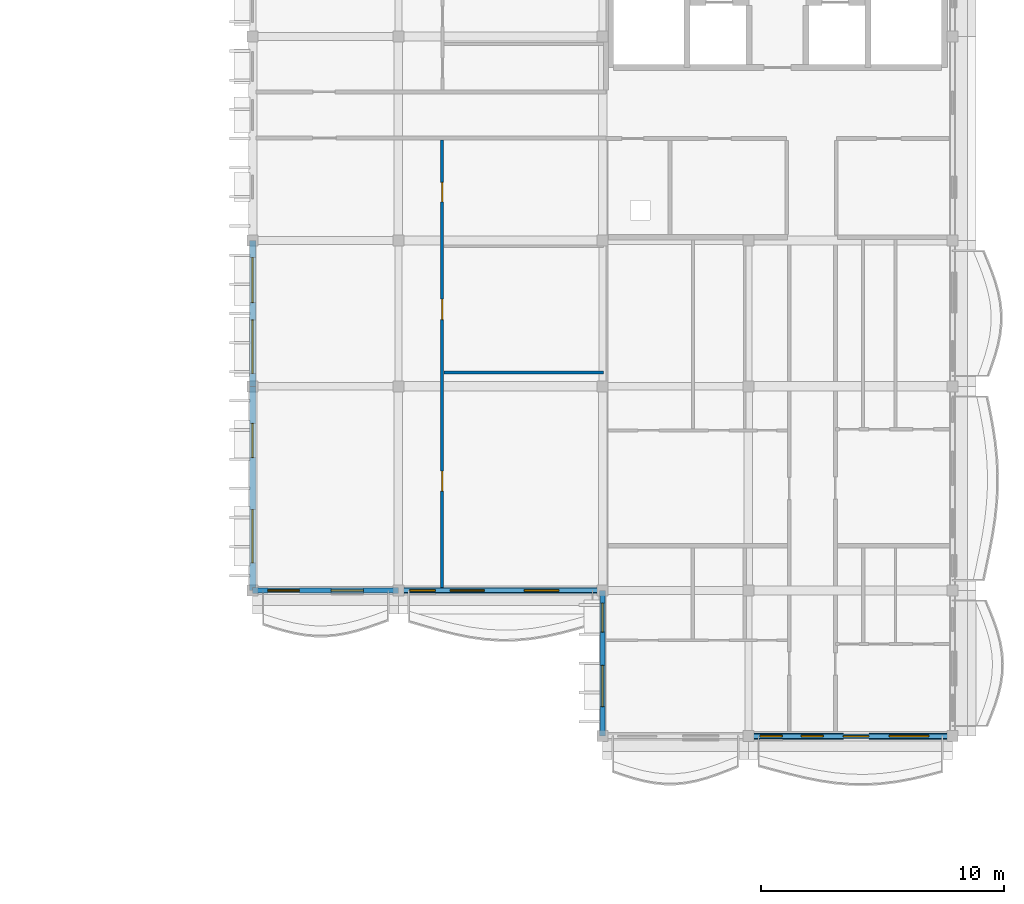
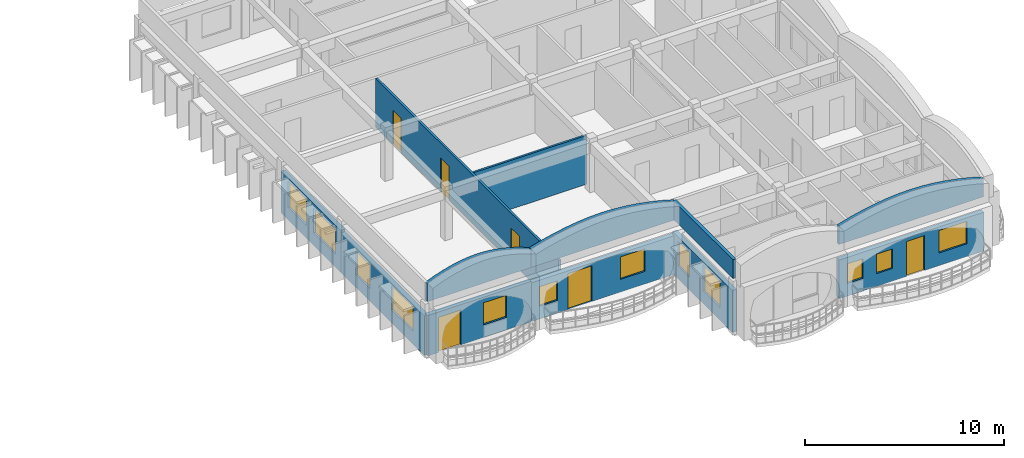
# One storey, part 26 of 59: 12 walls, 12 windows, 6 doors, 18 openings.
"""IFC4 building model written with IfcOpenShell, lengths in metres."""

from ifc_helpers import new_model, si_unit, direction, frame, frame_2d, origin, place, context, subcontext, project, spatial, polyline, rectangle, outline, extrude, material, layer, layer_set, type_object, element, fill, save


model = new_model("IFC4")

# Units and contexts
model_context = context("Model", 3, precision=1e-05, world=origin(), true_north=direction((0.0, 1.0)))
body_context = subcontext(model_context, "Body", "Model", "MODEL_VIEW")
ifc_project = project(units=[si_unit("LENGTHUNIT", "METRE"), si_unit("AREAUNIT", "SQUARE_METRE"), si_unit("VOLUMEUNIT", "CUBIC_METRE"), si_unit("PLANEANGLEUNIT", "RADIAN"), si_unit("MASSUNIT", "GRAM", prefix="KILO"), si_unit("THERMODYNAMICTEMPERATUREUNIT", "KELVIN")], contexts=[model_context])

# Site, building, storey
site_placement = place(None, origin())
site = spatial("IfcSite", under=ifc_project, at=site_placement, CompositionType="ELEMENT")
building_placement = place(site_placement, origin())
building = spatial("IfcBuilding", under=site, at=building_placement, Name="Thalorik Housing Commons", CompositionType="ELEMENT")
storey_placement = place(building_placement, frame((0.0, 0.0, 27.89990234375)))
storey = spatial("IfcBuildingStorey", under=building, at=storey_placement, Name="L08", CompositionType="ELEMENT", Elevation=27.89990234375)

# Wall, openings, windows
ifc_material_1 = material(Name="White precast concrete C40/50", Category="concrete")
ifc_layer_1 = layer(ifc_material_1, 0.2548828125, Name="White precast concrete C40/50", Category="concrete")
ifc_layer_set_1 = layer_set([ifc_layer_1], Name="White precast concrete C40/50")
wall_type_1 = type_object("IfcWallType", Name="ARC-WAL-EXT-255", PredefinedType="STANDARD", material=ifc_layer_set_1)
wall_1_placement = place(storey_placement, frame((138.0, 57.60009765625, 0.0), z_axis=(0.0, 0.0, 1.0), x_axis=(0.0, -1.0, 0.0)))
wall_1 = element("IfcWall", 1, at=wall_1_placement, inside=storey, type_object=wall_type_1, Name="L08 Exterior Wall WAL-EXT-L08-D-1265", PredefinedType="STANDARD", context=body_context, shape_type="SweptSolid", body=[
    extrude(rectangle(XDim=6.0, YDim=0.2548828125, at=frame_2d((3.0, 0.0))), origin(), (0.0, 0.0, 1.0), 2.5751953125),
])
opening_1_placement = place(wall_1_placement, frame((0.705078125, 0.0, 0.780029296875)))
opening_1 = element("IfcOpeningElement", 2, at=opening_1_placement, cuts=wall_1, Name="Opening W-20", PredefinedType="OPENING", context=body_context, shape_type="SweptSolid", body=[
    extrude(rectangle(XDim=1.85009765625, YDim=1.60009765625, at=frame_2d((0.925048828125, 0.800048828125))), frame((0.0, 0.137451171875, 0.0), z_axis=(0.0, -1.0, 0.0), x_axis=(1.0, 0.0, 0.0)), (0.0, 0.0, 1.0), 0.27490234375),
])
opening_2_placement = place(wall_1_placement, frame((3.27001953125, 0.0, 0.780029296875)))
opening_2 = element("IfcOpeningElement", 3, at=opening_2_placement, cuts=wall_1, Name="Opening W-29", PredefinedType="OPENING", context=body_context, shape_type="SweptSolid", body=[
    extrude(rectangle(XDim=2.199951171875, YDim=1.5, at=frame_2d((1.10009765625, 0.75))), frame((0.0, 0.137451171875, 0.0), z_axis=(0.0, -1.0, 0.0), x_axis=(1.0, 0.0, 0.0)), (0.0, 0.0, 1.0), 0.27490234375),
])
ifc_material_2 = material(Name="Anodised aluminium and solar-control low-E glass", Category="aluminium")
window_type_1 = type_object("IfcWindowType", Name="ARC-WIN-20", PartitioningType="DOUBLE_PANEL_VERTICAL", PredefinedType="WINDOW", material=ifc_material_2)
window_1_placement = place(opening_1_placement, origin())
window_1 = element("IfcWindow", 4, at=window_1_placement, inside=storey, type_object=window_type_1, Name="L08 Facade Window 2305", OverallHeight=1.60009765625, OverallWidth=1.85009765625, PartitioningType="DOUBLE_PANEL_VERTICAL", PredefinedType="WINDOW", context=body_context, shape_type="SweptSolid", body=[
    extrude(rectangle(XDim=1.85009765625, YDim=1.60009765625, at=frame_2d((0.925048828125, 0.800048828125))), frame((0.0, 0.030029296875, 0.0), z_axis=(0.0, -1.0, 0.0), x_axis=(1.0, 0.0, 0.0)), (0.0, 0.0, 1.0), 0.06005859375),
])
fill(opening_1, window_1)
window_type_2 = type_object("IfcWindowType", Name="ARC-WIN-29", PartitioningType="DOUBLE_PANEL_VERTICAL", PredefinedType="WINDOW", material=ifc_material_2)
window_2_placement = place(opening_2_placement, origin())
window_2 = element("IfcWindow", 5, at=window_2_placement, inside=storey, type_object=window_type_2, Name="L08 Facade Window 2306", OverallHeight=1.5, OverallWidth=2.199951171875, PartitioningType="DOUBLE_PANEL_VERTICAL", PredefinedType="WINDOW", context=body_context, shape_type="SweptSolid", body=[
    extrude(rectangle(XDim=2.199951171875, YDim=1.5, at=frame_2d((1.10009765625, 0.75))), frame((0.0, 0.030029296875, 0.0), z_axis=(0.0, -1.0, 0.0), x_axis=(1.0, 0.0, 0.0)), (0.0, 0.0, 1.0), 0.06005859375),
])
fill(opening_2, window_2)

wall_2_placement = place(storey_placement, frame((138.0, 51.60009765625, 0.0), z_axis=(0.0, 0.0, 1.0), x_axis=(0.0, -1.0, 0.0)))
wall_2 = element("IfcWall", 6, at=wall_2_placement, inside=storey, type_object=wall_type_1, Name="L08 Exterior Wall WAL-EXT-L08-D-1266", PredefinedType="STANDARD", context=body_context, shape_type="SweptSolid", body=[
    extrude(rectangle(XDim=8.400146484375, YDim=0.2548828125, at=frame_2d((4.2001953125, 0.0))), origin(), (0.0, 0.0, 1.0), 2.425048828125),
])
opening_3_placement = place(wall_2_placement, frame((1.530029296875, 0.0, 0.780029296875)))
opening_3 = element("IfcOpeningElement", 7, at=opening_3_placement, cuts=wall_2, Name="Opening W-08", PredefinedType="OPENING", context=body_context, shape_type="SweptSolid", body=[
    extrude(rectangle(XDim=1.39990234375, YDim=1.449951171875, at=frame_2d((0.699951171875, 0.72509765625))), frame((0.0, 0.137451171875, 0.0), z_axis=(0.0, -1.0, 0.0), x_axis=(1.0, 0.0, 0.0)), (0.0, 0.0, 1.0), 0.27490234375),
])
opening_4_placement = place(wall_2_placement, frame((5.070068359375, 0.0, 0.780029296875)))
opening_4 = element("IfcOpeningElement", 8, at=opening_4_placement, cuts=wall_2, Name="Opening W-29", PredefinedType="OPENING", context=body_context, shape_type="SweptSolid", body=[
    extrude(rectangle(XDim=2.199951171875, YDim=1.5, at=frame_2d((1.10009765625, 0.75))), frame((0.0, 0.137451171875, 0.0), z_axis=(0.0, -1.0, 0.0), x_axis=(1.0, 0.0, 0.0)), (0.0, 0.0, 1.0), 0.27490234375),
])
window_type_3 = type_object("IfcWindowType", Name="ARC-WIN-08", PartitioningType="SINGLE_PANEL", PredefinedType="WINDOW", material=ifc_material_2)
window_3_placement = place(opening_3_placement, origin())
window_3 = element("IfcWindow", 9, at=window_3_placement, inside=storey, type_object=window_type_3, Name="L08 Facade Window 2307", OverallHeight=1.449951171875, OverallWidth=1.39990234375, PartitioningType="SINGLE_PANEL", PredefinedType="WINDOW", context=body_context, shape_type="SweptSolid", body=[
    extrude(rectangle(XDim=1.39990234375, YDim=1.449951171875, at=frame_2d((0.699951171875, 0.72509765625))), frame((0.0, 0.030029296875, 0.0), z_axis=(0.0, -1.0, 0.0), x_axis=(1.0, 0.0, 0.0)), (0.0, 0.0, 1.0), 0.06005859375),
])
fill(opening_3, window_3)
window_4_placement = place(opening_4_placement, origin())
window_4 = element("IfcWindow", 10, at=window_4_placement, inside=storey, type_object=window_type_2, Name="L08 Facade Window 2308", OverallHeight=1.5, OverallWidth=2.199951171875, PartitioningType="DOUBLE_PANEL_VERTICAL", PredefinedType="WINDOW", context=body_context, shape_type="SweptSolid", body=[
    extrude(rectangle(XDim=2.199951171875, YDim=1.5, at=frame_2d((1.10009765625, 0.75))), frame((0.0, 0.030029296875, 0.0), z_axis=(0.0, -1.0, 0.0), x_axis=(1.0, 0.0, 0.0)), (0.0, 0.0, 1.0), 0.06005859375),
])
fill(opening_4, window_4)

# Wall, openings, door, window
wall_3_placement = place(storey_placement, frame((138.0, 43.199951171875, 0.0), z_axis=(0.0, 0.0, 1.0), x_axis=(1.0, 0.0, 0.0)))
wall_3 = element("IfcWall", 11, at=wall_3_placement, inside=storey, type_object=wall_type_1, Name="L08 Exterior Wall WAL-EXT-L08-D-1267", PredefinedType="STANDARD", context=body_context, shape_type="SweptSolid", body=[
    extrude(rectangle(XDim=6.0, YDim=0.2548828125, at=frame_2d((3.0, 0.0))), origin(), (0.0, 0.0, 1.0), 2.47509765625),
])
opening_5_placement = place(wall_3_placement, frame((0.6201171875, 0.0, 0.0)))
opening_5 = element("IfcOpeningElement", 12, at=opening_5_placement, cuts=wall_3, Name="Opening ED-0430", PredefinedType="OPENING", context=body_context, shape_type="SweptSolid", body=[
    extrude(rectangle(XDim=1.300048828125, YDim=2.14990234375, at=frame_2d((0.64990234375, 1.074951171875))), frame((0.0, 0.137451171875, 0.0), z_axis=(0.0, -1.0, 0.0), x_axis=(1.0, 0.0, 0.0)), (0.0, 0.0, 1.0), 0.27490234375),
])
opening_6_placement = place(wall_3_placement, frame((3.22998046875, 0.0, 0.780029296875)))
opening_6 = element("IfcOpeningElement", 13, at=opening_6_placement, cuts=wall_3, Name="Opening W-48", PredefinedType="OPENING", context=body_context, shape_type="SweptSolid", body=[
    extrude(rectangle(XDim=1.320068359375, YDim=1.35009765625, at=frame_2d((0.66015625, 0.675048828125))), frame((0.0, 0.137451171875, 0.0), z_axis=(0.0, -1.0, 0.0), x_axis=(1.0, 0.0, 0.0)), (0.0, 0.0, 1.0), 0.27490234375),
])
ifc_material_3 = material(Name="Anodised aluminium and laminated safety glass", Category="aluminium")
door_type_1 = type_object("IfcDoorType", Name="ARC-DR-BAL-1300", OperationType="NOTDEFINED", PredefinedType="DOOR", material=ifc_material_3)
door_1_placement = place(opening_5_placement, frame((1.300048828125, 0.0, 0.0), z_axis=(0.0, 0.0, 1.0), x_axis=(-1.0, 0.0, 0.0)))
door_1 = element("IfcDoor", 14, at=door_1_placement, inside=storey, type_object=door_type_1, Name="L08 Block D Balcony Glazed Door", OperationType="SINGLE_SWING_LEFT", OverallHeight=2.14990234375, OverallWidth=1.300048828125, PredefinedType="DOOR", context=body_context, shape_type="SweptSolid", body=[
    extrude(rectangle(XDim=1.300048828125, YDim=2.14990234375, at=frame_2d((0.64990234375, 1.074951171875))), frame((0.0, 0.02490234375, 0.0), z_axis=(0.0, -1.0, 0.0), x_axis=(1.0, 0.0, 0.0)), (0.0, 0.0, 1.0), 0.050048828125),
])
fill(opening_5, door_1)
window_type_4 = type_object("IfcWindowType", Name="ARC-WIN-48", PartitioningType="SINGLE_PANEL", PredefinedType="WINDOW", material=ifc_material_2)
window_5_placement = place(opening_6_placement, origin())
window_5 = element("IfcWindow", 15, at=window_5_placement, inside=storey, type_object=window_type_4, Name="L08 Facade Window 2309", OverallHeight=1.35009765625, OverallWidth=1.320068359375, PartitioningType="SINGLE_PANEL", PredefinedType="WINDOW", context=body_context, shape_type="SweptSolid", body=[
    extrude(rectangle(XDim=1.320068359375, YDim=1.35009765625, at=frame_2d((0.66015625, 0.675048828125))), frame((0.0, 0.030029296875, 0.0), z_axis=(0.0, -1.0, 0.0), x_axis=(1.0, 0.0, 0.0)), (0.0, 0.0, 1.0), 0.06005859375),
])
fill(opening_6, window_5)

# Wall, openings, door, windows
wall_4_placement = place(storey_placement, frame((144.0, 43.199951171875, 0.0), z_axis=(0.0, 0.0, 1.0), x_axis=(1.0, 0.0, 0.0)))
wall_4 = element("IfcWall", 16, at=wall_4_placement, inside=storey, type_object=wall_type_1, Name="L08 Exterior Wall WAL-EXT-L08-D-1268", PredefinedType="STANDARD", context=body_context, shape_type="SweptSolid", body=[
    extrude(rectangle(XDim=8.39990234375, YDim=0.2548828125, at=frame_2d((4.199951171875, 0.0))), origin(), (0.0, 0.0, 1.0), 2.375),
])
opening_7_placement = place(wall_4_placement, frame((2.1298828125, 0.0, 0.0)))
opening_7 = element("IfcOpeningElement", 17, at=opening_7_placement, cuts=wall_4, Name="Opening ED-0431", PredefinedType="OPENING", context=body_context, shape_type="SweptSolid", body=[
    extrude(rectangle(XDim=1.39990234375, YDim=2.199951171875, at=frame_2d((0.699951171875, 1.10009765625))), frame((0.0, 0.137451171875, 0.0), z_axis=(0.0, -1.0, 0.0), x_axis=(1.0, 0.0, 0.0)), (0.0, 0.0, 1.0), 0.27490234375),
])
opening_8_placement = place(wall_4_placement, frame((0.469970703125, 0.0, 0.780029296875)))
opening_8 = element("IfcOpeningElement", 18, at=opening_8_placement, cuts=wall_4, Name="Opening W-44", PredefinedType="OPENING", context=body_context, shape_type="SweptSolid", body=[
    extrude(rectangle(XDim=1.050048828125, YDim=1.199951171875, at=frame_2d((0.52490234375, 0.60009765625))), frame((0.0, 0.137451171875, 0.0), z_axis=(0.0, -1.0, 0.0), x_axis=(1.0, 0.0, 0.0)), (0.0, 0.0, 1.0), 0.27490234375),
])
opening_9_placement = place(wall_4_placement, frame((5.18505859375, 0.0, 0.780029296875)))
opening_9 = element("IfcOpeningElement", 19, at=opening_9_placement, cuts=wall_4, Name="Opening W-50", PredefinedType="OPENING", context=body_context, shape_type="SweptSolid", body=[
    extrude(rectangle(XDim=1.419921875, YDim=1.3798828125, at=frame_2d((0.7099609375, 0.68994140625))), frame((0.0, 0.137451171875, 0.0), z_axis=(0.0, -1.0, 0.0), x_axis=(1.0, 0.0, 0.0)), (0.0, 0.0, 1.0), 0.27490234375),
])
door_type_2 = type_object("IfcDoorType", Name="ARC-DR-BAL-1400", OperationType="NOTDEFINED", PredefinedType="DOOR", material=ifc_material_3)
door_2_placement = place(opening_7_placement, frame((1.39990234375, 0.0, 0.0), z_axis=(0.0, 0.0, 1.0), x_axis=(-1.0, 0.0, 0.0)))
door_2 = element("IfcDoor", 20, at=door_2_placement, inside=storey, type_object=door_type_2, Name="L08 Block D Balcony Glazed Door", OperationType="SLIDING_TO_LEFT", OverallHeight=2.199951171875, OverallWidth=1.39990234375, PredefinedType="DOOR", context=body_context, shape_type="SweptSolid", body=[
    extrude(rectangle(XDim=1.39990234375, YDim=2.199951171875, at=frame_2d((0.699951171875, 1.10009765625))), frame((0.0, 0.02490234375, 0.0), z_axis=(0.0, -1.0, 0.0), x_axis=(1.0, 0.0, 0.0)), (0.0, 0.0, 1.0), 0.050048828125),
])
fill(opening_7, door_2)
window_type_5 = type_object("IfcWindowType", Name="ARC-WIN-44", PartitioningType="SINGLE_PANEL", PredefinedType="WINDOW", material=ifc_material_2)
window_6_placement = place(opening_8_placement, origin())
window_6 = element("IfcWindow", 21, at=window_6_placement, inside=storey, type_object=window_type_5, Name="L08 Facade Window 2310", OverallHeight=1.199951171875, OverallWidth=1.050048828125, PartitioningType="SINGLE_PANEL", PredefinedType="WINDOW", context=body_context, shape_type="SweptSolid", body=[
    extrude(rectangle(XDim=1.050048828125, YDim=1.199951171875, at=frame_2d((0.52490234375, 0.60009765625))), frame((0.0, 0.030029296875, 0.0), z_axis=(0.0, -1.0, 0.0), x_axis=(1.0, 0.0, 0.0)), (0.0, 0.0, 1.0), 0.06005859375),
])
fill(opening_8, window_6)
window_type_6 = type_object("IfcWindowType", Name="ARC-WIN-50", PartitioningType="SINGLE_PANEL", PredefinedType="WINDOW", material=ifc_material_2)
window_7_placement = place(opening_9_placement, origin())
window_7 = element("IfcWindow", 22, at=window_7_placement, inside=storey, type_object=window_type_6, Name="L08 Facade Window 2311", OverallHeight=1.3798828125, OverallWidth=1.419921875, PartitioningType="SINGLE_PANEL", PredefinedType="WINDOW", context=body_context, shape_type="SweptSolid", body=[
    extrude(rectangle(XDim=1.419921875, YDim=1.3798828125, at=frame_2d((0.7099609375, 0.68994140625))), frame((0.0, 0.030029296875, 0.0), z_axis=(0.0, -1.0, 0.0), x_axis=(1.0, 0.0, 0.0)), (0.0, 0.0, 1.0), 0.06005859375),
])
fill(opening_9, window_7)

# Wall, openings, windows
wall_5_placement = place(storey_placement, frame((152.39990234375, 43.199951171875, 0.0), z_axis=(0.0, 0.0, 1.0), x_axis=(0.0, -1.0, 0.0)))
wall_5 = element("IfcWall", 23, at=wall_5_placement, inside=storey, type_object=wall_type_1, Name="L08 Exterior Wall WAL-EXT-L08-D-1269", PredefinedType="STANDARD", context=body_context, shape_type="SweptSolid", body=[
    extrude(rectangle(XDim=6.0, YDim=0.2548828125, at=frame_2d((3.0, 0.0))), origin(), (0.0, 0.0, 1.0), 2.5751953125),
])
opening_10_placement = place(wall_5_placement, frame((0.52001953125, 0.0, 0.780029296875)))
opening_10 = element("IfcOpeningElement", 24, at=opening_10_placement, cuts=wall_5, Name="Opening W-05", PredefinedType="OPENING", context=body_context, shape_type="SweptSolid", body=[
    extrude(rectangle(XDim=1.199951171875, YDim=1.5, at=frame_2d((0.60009765625, 0.75))), frame((0.0, 0.137451171875, 0.0), z_axis=(0.0, -1.0, 0.0), x_axis=(1.0, 0.0, 0.0)), (0.0, 0.0, 1.0), 0.27490234375),
])
opening_11_placement = place(wall_5_placement, frame((3.080078125, 0.0, 0.780029296875)))
opening_11 = element("IfcOpeningElement", 25, at=opening_11_placement, cuts=wall_5, Name="Opening W-16", PredefinedType="OPENING", context=body_context, shape_type="SweptSolid", body=[
    extrude(rectangle(XDim=1.699951171875, YDim=1.60009765625, at=frame_2d((0.85009765625, 0.800048828125))), frame((0.0, 0.137451171875, 0.0), z_axis=(0.0, -1.0, 0.0), x_axis=(1.0, 0.0, 0.0)), (0.0, 0.0, 1.0), 0.27490234375),
])
window_type_7 = type_object("IfcWindowType", Name="ARC-WIN-05", PartitioningType="SINGLE_PANEL", PredefinedType="WINDOW", material=ifc_material_2)
window_8_placement = place(opening_10_placement, origin())
window_8 = element("IfcWindow", 26, at=window_8_placement, inside=storey, type_object=window_type_7, Name="L08 Facade Window 2312", OverallHeight=1.5, OverallWidth=1.199951171875, PartitioningType="SINGLE_PANEL", PredefinedType="WINDOW", context=body_context, shape_type="SweptSolid", body=[
    extrude(rectangle(XDim=1.199951171875, YDim=1.5, at=frame_2d((0.60009765625, 0.75))), frame((0.0, 0.030029296875, 0.0), z_axis=(0.0, -1.0, 0.0), x_axis=(1.0, 0.0, 0.0)), (0.0, 0.0, 1.0), 0.06005859375),
])
fill(opening_10, window_8)
window_type_8 = type_object("IfcWindowType", Name="ARC-WIN-16", PartitioningType="DOUBLE_PANEL_VERTICAL", PredefinedType="WINDOW", material=ifc_material_2)
window_9_placement = place(opening_11_placement, origin())
window_9 = element("IfcWindow", 27, at=window_9_placement, inside=storey, type_object=window_type_8, Name="L08 Facade Window 2313", OverallHeight=1.60009765625, OverallWidth=1.699951171875, PartitioningType="DOUBLE_PANEL_VERTICAL", PredefinedType="WINDOW", context=body_context, shape_type="SweptSolid", body=[
    extrude(rectangle(XDim=1.699951171875, YDim=1.60009765625, at=frame_2d((0.85009765625, 0.800048828125))), frame((0.0, 0.030029296875, 0.0), z_axis=(0.0, -1.0, 0.0), x_axis=(1.0, 0.0, 0.0)), (0.0, 0.0, 1.0), 0.06005859375),
])
fill(opening_11, window_9)

# Wall, openings, door, windows
wall_6_placement = place(storey_placement, frame((158.39990234375, 37.199951171875, 0.0), z_axis=(0.0, 0.0, 1.0), x_axis=(1.0, 0.0, 0.0)))
wall_6 = element("IfcWall", 28, at=wall_6_placement, inside=storey, type_object=wall_type_1, Name="L08 Exterior Wall WAL-EXT-L08-D-1271", PredefinedType="STANDARD", context=body_context, shape_type="SweptSolid", body=[
    extrude(rectangle(XDim=8.400146484375, YDim=0.2548828125, at=frame_2d((4.2001953125, 0.0))), origin(), (0.0, 0.0, 1.0), 2.375),
])
opening_12_placement = place(wall_6_placement, frame((3.909912109375, 0.0, 0.0)))
opening_12 = element("IfcOpeningElement", 29, at=opening_12_placement, cuts=wall_6, Name="Opening ED-0433", PredefinedType="OPENING", context=body_context, shape_type="SweptSolid", body=[
    extrude(rectangle(XDim=1.050048828125, YDim=2.14990234375, at=frame_2d((0.52490234375, 1.074951171875))), frame((0.0, 0.137451171875, 0.0), z_axis=(0.0, -1.0, 0.0), x_axis=(1.0, 0.0, 0.0)), (0.0, 0.0, 1.0), 0.27490234375),
])
opening_13_placement = place(wall_6_placement, frame((0.485107421875, 0.0, 0.780029296875)))
opening_13 = element("IfcOpeningElement", 30, at=opening_13_placement, cuts=wall_6, Name="Opening W-01", PredefinedType="OPENING", context=body_context, shape_type="SweptSolid", body=[
    extrude(rectangle(XDim=0.89990234375, YDim=1.199951171875, at=frame_2d((0.449951171875, 0.60009765625))), frame((0.0, 0.137451171875, 0.0), z_axis=(0.0, -1.0, 0.0), x_axis=(1.0, 0.0, 0.0)), (0.0, 0.0, 1.0), 0.27490234375),
])
opening_14_placement = place(wall_6_placement, frame((2.179931640625, 0.0, 0.780029296875)))
opening_14 = element("IfcOpeningElement", 31, at=opening_14_placement, cuts=wall_6, Name="Opening W-01", PredefinedType="OPENING", context=body_context, shape_type="SweptSolid", body=[
    extrude(rectangle(XDim=0.89990234375, YDim=1.199951171875, at=frame_2d((0.449951171875, 0.60009765625))), frame((0.0, 0.137451171875, 0.0), z_axis=(0.0, -1.0, 0.0), x_axis=(1.0, 0.0, 0.0)), (0.0, 0.0, 1.0), 0.27490234375),
])
opening_15_placement = place(wall_6_placement, frame((5.800048828125, 0.0, 0.780029296875)))
opening_15 = element("IfcOpeningElement", 32, at=opening_15_placement, cuts=wall_6, Name="Opening W-54", PredefinedType="OPENING", context=body_context, shape_type="SweptSolid", body=[
    extrude(rectangle(XDim=1.6201171875, YDim=1.3798828125, at=frame_2d((0.81005859375, 0.68994140625))), frame((0.0, 0.137451171875, 0.0), z_axis=(0.0, -1.0, 0.0), x_axis=(1.0, 0.0, 0.0)), (0.0, 0.0, 1.0), 0.27490234375),
])
door_type_3 = type_object("IfcDoorType", Name="ARC-DR-BAL-1050", OperationType="NOTDEFINED", PredefinedType="DOOR", material=ifc_material_3)
door_3_placement = place(opening_12_placement, frame((1.050048828125, 0.0, 0.0), z_axis=(0.0, 0.0, 1.0), x_axis=(-1.0, 0.0, 0.0)))
door_3 = element("IfcDoor", 33, at=door_3_placement, inside=storey, type_object=door_type_3, Name="L08 Block D Balcony Glazed Door", OperationType="SINGLE_SWING_RIGHT", OverallHeight=2.14990234375, OverallWidth=1.050048828125, PredefinedType="DOOR", context=body_context, shape_type="SweptSolid", body=[
    extrude(rectangle(XDim=1.050048828125, YDim=2.14990234375, at=frame_2d((0.52490234375, 1.074951171875))), frame((0.0, 0.02490234375, 0.0), z_axis=(0.0, -1.0, 0.0), x_axis=(1.0, 0.0, 0.0)), (0.0, 0.0, 1.0), 0.050048828125),
])
fill(opening_12, door_3)
window_type_9 = type_object("IfcWindowType", Name="ARC-WIN-01", PartitioningType="SINGLE_PANEL", PredefinedType="WINDOW", material=ifc_material_2)
window_10_placement = place(opening_13_placement, origin())
window_10 = element("IfcWindow", 34, at=window_10_placement, inside=storey, type_object=window_type_9, Name="L08 Facade Window 2315", OverallHeight=1.199951171875, OverallWidth=0.89990234375, PartitioningType="SINGLE_PANEL", PredefinedType="WINDOW", context=body_context, shape_type="SweptSolid", body=[
    extrude(rectangle(XDim=0.89990234375, YDim=1.199951171875, at=frame_2d((0.449951171875, 0.60009765625))), frame((0.0, 0.030029296875, 0.0), z_axis=(0.0, -1.0, 0.0), x_axis=(1.0, 0.0, 0.0)), (0.0, 0.0, 1.0), 0.06005859375),
])
fill(opening_13, window_10)
window_11_placement = place(opening_14_placement, origin())
window_11 = element("IfcWindow", 35, at=window_11_placement, inside=storey, type_object=window_type_9, Name="L08 Facade Window 2316", OverallHeight=1.199951171875, OverallWidth=0.89990234375, PartitioningType="SINGLE_PANEL", PredefinedType="WINDOW", context=body_context, shape_type="SweptSolid", body=[
    extrude(rectangle(XDim=0.89990234375, YDim=1.199951171875, at=frame_2d((0.449951171875, 0.60009765625))), frame((0.0, 0.030029296875, 0.0), z_axis=(0.0, -1.0, 0.0), x_axis=(1.0, 0.0, 0.0)), (0.0, 0.0, 1.0), 0.06005859375),
])
fill(opening_14, window_11)
window_type_10 = type_object("IfcWindowType", Name="ARC-WIN-54", PartitioningType="DOUBLE_PANEL_VERTICAL", PredefinedType="WINDOW", material=ifc_material_2)
window_12_placement = place(opening_15_placement, origin())
window_12 = element("IfcWindow", 36, at=window_12_placement, inside=storey, type_object=window_type_10, Name="L08 Facade Window 2317", OverallHeight=1.3798828125, OverallWidth=1.6201171875, PartitioningType="DOUBLE_PANEL_VERTICAL", PredefinedType="WINDOW", context=body_context, shape_type="SweptSolid", body=[
    extrude(rectangle(XDim=1.6201171875, YDim=1.3798828125, at=frame_2d((0.81005859375, 0.68994140625))), frame((0.0, 0.030029296875, 0.0), z_axis=(0.0, -1.0, 0.0), x_axis=(1.0, 0.0, 0.0)), (0.0, 0.0, 1.0), 0.06005859375),
])
fill(opening_15, window_12)

# Walls
ifc_layer_2 = layer(ifc_material_1, 0.179931640625, Name="White precast concrete C40/50", Category="concrete")
ifc_layer_set_2 = layer_set([ifc_layer_2], Name="White precast concrete C40/50")
wall_type_2 = type_object("IfcWallType", Name="ARC-WAL-PAR-180", PredefinedType="PARAPET", material=ifc_layer_set_2)
wall_7_placement = place(storey_placement, frame((138.0, 43.199951171875, 3.300048828125), z_axis=(0.0, 0.0, 1.0), x_axis=(1.0, 0.0, 0.0)))
element("IfcWall", 37, at=wall_7_placement, inside=storey, type_object=wall_type_2, Name="L08 Block D Scalloped Arched Roof Parapet 47", PredefinedType="PARAPET", context=body_context, shape_type="SweptSolid", body=[
    extrude(outline(polyline([(0.0, 0.0), (6.0, 0.0), (6.0, 1.1201171875), (5.5, 1.321533203125), (5.0, 1.484375), (4.5, 1.617919921875), (4.0, 1.717529296875), (3.5, 1.779052734375), (3.0, 1.800048828125), (2.5, 1.779052734375), (2.0, 1.717529296875), (1.5, 1.617919921875), (1.0, 1.484375), (0.5, 1.321533203125), (0.0, 1.1201171875), (0.0, 0.0)])), frame((0.0, 0.08984375, 0.0), z_axis=(0.0, -1.0, 0.0), x_axis=(1.0, 0.0, 0.0)), (0.0, 0.0, 1.0), 0.179931640625),
])
wall_8_placement = place(storey_placement, frame((144.0, 43.199951171875, 3.300048828125), z_axis=(0.0, 0.0, 1.0), x_axis=(1.0, 0.0, 0.0)))
element("IfcWall", 38, at=wall_8_placement, inside=storey, type_object=wall_type_2, Name="L08 Block D Scalloped Arched Roof Parapet 48", PredefinedType="PARAPET", context=body_context, shape_type="SweptSolid", body=[
    extrude(outline(polyline([(0.0, 0.0), (8.39990234375, 0.0), (8.39990234375, 1.1201171875), (7.699951171875, 1.321533203125), (7.0, 1.484375), (6.300048828125, 1.617919921875), (5.60009765625, 1.717529296875), (4.89990234375, 1.779052734375), (4.199951171875, 1.800048828125), (3.5, 1.779052734375), (2.800048828125, 1.717529296875), (2.10009765625, 1.617919921875), (1.39990234375, 1.484375), (0.699951171875, 1.321533203125), (0.0, 1.1201171875), (0.0, 0.0)])), frame((0.0, 0.08984375, 0.0), z_axis=(0.0, -1.0, 0.0), x_axis=(1.0, 0.0, 0.0)), (0.0, 0.0, 1.0), 0.179931640625),
])
wall_9_placement = place(storey_placement, frame((152.39990234375, 43.199951171875, 3.300048828125), z_axis=(0.0, 0.0, 1.0), x_axis=(0.0, -1.0, 0.0)))
element("IfcWall", 39, at=wall_9_placement, inside=storey, type_object=wall_type_2, Name="L08 Block D Roof Parapet 49", PredefinedType="PARAPET", context=body_context, shape_type="SweptSolid", body=[
    extrude(rectangle(XDim=6.0, YDim=0.179931640625, at=frame_2d((3.0, 0.0))), origin(), (0.0, 0.0, 1.0), 1.150146484375),
])
wall_10_placement = place(storey_placement, frame((158.39990234375, 37.199951171875, 3.300048828125), z_axis=(0.0, 0.0, 1.0), x_axis=(1.0, 0.0, 0.0)))
element("IfcWall", 40, at=wall_10_placement, inside=storey, type_object=wall_type_2, Name="L08 Block D Scalloped Arched Roof Parapet 51", PredefinedType="PARAPET", context=body_context, shape_type="SweptSolid", body=[
    extrude(outline(polyline([(0.0, 0.0), (8.400146484375, 0.0), (8.39990234375, 1.1201171875), (7.699951171875, 1.321533203125), (7.0, 1.484375), (6.300048828125, 1.617919921875), (5.60009765625, 1.717529296875), (4.89990234375, 1.779052734375), (4.199951171875, 1.800048828125), (3.5, 1.779052734375), (2.800048828125, 1.717529296875), (2.10009765625, 1.617919921875), (1.39990234375, 1.484375), (0.699951171875, 1.321533203125), (0.0, 1.1201171875), (0.0, 0.0)])), frame((0.0, 0.08984375, 0.0), z_axis=(0.0, -1.0, 0.0), x_axis=(1.0, 0.0, 0.0)), (0.0, 0.0, 1.0), 0.179931640625),
])
ifc_material_4 = material(Name="Gypsum moisture-resistant partition", Category="masonry")
ifc_layer_3 = layer(ifc_material_4, 0.114990234375, Name="Gypsum moisture-resistant partition", Category="masonry")
ifc_layer_set_3 = layer_set([ifc_layer_3], Name="Gypsum moisture-resistant partition")
wall_type_3 = type_object("IfcWallType", Name="ARC-WAL-PART-115", PredefinedType="PARTITIONING", material=ifc_layer_set_3)
wall_11_placement = place(storey_placement, frame((145.864501953125, 52.168701171875, 0.0), z_axis=(0.0, 0.0, 1.0), x_axis=(1.0, 0.0, 0.0)))
element("IfcWall", 41, at=wall_11_placement, inside=storey, type_object=wall_type_3, Name="L08 Unit 1 Bedroom Partition", PredefinedType="PARTITIONING", context=body_context, shape_type="SweptSolid", body=[
    extrude(rectangle(XDim=6.5810546875, YDim=0.114990234375, at=frame_2d((3.29052734375, 0.0))), origin(), (0.0, 0.0, 1.0), 3.0),
])

# Wall, openings, doors
ifc_material_5 = material(Name="Gypsum acoustic stud partition", Category="masonry")
ifc_layer_4 = layer(ifc_material_5, 0.125, Name="Gypsum acoustic stud partition", Category="masonry")
ifc_layer_set_4 = layer_set([ifc_layer_4], Name="Gypsum acoustic stud partition")
wall_type_4 = type_object("IfcWallType", Name="ARC-WAL-PART-125", PredefinedType="PARTITIONING", material=ifc_layer_set_4)
wall_12_placement = place(storey_placement, frame((145.800048828125, 43.32958984375, 0.0), z_axis=(0.0, 0.0, 1.0), x_axis=(0.0, 1.0, 0.0)))
wall_12 = element("IfcWall", 42, at=wall_12_placement, inside=storey, type_object=wall_type_4, Name="L08 Unit 1 Spine Partition", PredefinedType="PARTITIONING", context=body_context, shape_type="SweptSolid", body=[
    extrude(rectangle(XDim=18.413330078125, YDim=0.125, at=frame_2d((9.20654296875, 0.0))), origin(), (0.0, 0.0, 1.0), 3.0),
])
opening_16_placement = place(wall_12_placement, frame((3.9599609375, 0.0, 0.0)))
opening_16 = element("IfcOpeningElement", 43, at=opening_16_placement, cuts=wall_12, Name="Opening ID-2164", PredefinedType="OPENING", context=body_context, shape_type="SweptSolid", body=[
    extrude(rectangle(XDim=0.820068359375, YDim=2.080078125, at=frame_2d((0.41015625, 1.0400390625))), frame((0.0, 0.072509765625, 0.0), z_axis=(0.0, -1.0, 0.0), x_axis=(1.0, 0.0, 0.0)), (0.0, 0.0, 1.0), 0.14501953125),
])
opening_17_placement = place(wall_12_placement, frame((11.0126953125, 0.0, 0.0)))
opening_17 = element("IfcOpeningElement", 44, at=opening_17_placement, cuts=wall_12, Name="Opening ID-2165", PredefinedType="OPENING", context=body_context, shape_type="SweptSolid", body=[
    extrude(rectangle(XDim=0.85009765625, YDim=2.10009765625, at=frame_2d((0.425048828125, 1.050048828125))), frame((0.0, 0.072509765625, 0.0), z_axis=(0.0, -1.0, 0.0), x_axis=(1.0, 0.0, 0.0)), (0.0, 0.0, 1.0), 0.14501953125),
])
opening_18_placement = place(wall_12_placement, frame((15.86328125, 0.0, 0.0)))
opening_18 = element("IfcOpeningElement", 45, at=opening_18_placement, cuts=wall_12, Name="Opening ID-2166", PredefinedType="OPENING", context=body_context, shape_type="SweptSolid", body=[
    extrude(rectangle(XDim=0.800048828125, YDim=2.10009765625, at=frame_2d((0.39990234375, 1.050048828125))), frame((0.0, 0.072509765625, 0.0), z_axis=(0.0, -1.0, 0.0), x_axis=(1.0, 0.0, 0.0)), (0.0, 0.0, 1.0), 0.14501953125),
])
ifc_material_6 = material(Name="Moisture-resistant timber", Category="wood")
door_type_4 = type_object("IfcDoorType", Name="ARC-DR-INT-800", OperationType="NOTDEFINED", PredefinedType="DOOR", material=ifc_material_6)
door_4_placement = place(opening_18_placement, origin())
door_4 = element("IfcDoor", 46, at=door_4_placement, inside=storey, type_object=door_type_4, Name="L08 Accessible Bathroom Door", OperationType="SINGLE_SWING_LEFT", OverallHeight=2.10009765625, OverallWidth=0.800048828125, PredefinedType="DOOR", context=body_context, shape_type="SweptSolid", body=[
    extrude(rectangle(XDim=0.800048828125, YDim=2.10009765625, at=frame_2d((0.39990234375, 1.050048828125))), frame((0.0, 0.02490234375, 0.0), z_axis=(0.0, -1.0, 0.0), x_axis=(1.0, 0.0, 0.0)), (0.0, 0.0, 1.0), 0.050048828125),
])
fill(opening_18, door_4)
ifc_material_7 = material(Name="Engineered oak timber", Category="wood")
door_type_5 = type_object("IfcDoorType", Name="ARC-DR-INT-820", OperationType="NOTDEFINED", PredefinedType="DOOR", material=ifc_material_7)
door_5_placement = place(opening_16_placement, origin())
door_5 = element("IfcDoor", 47, at=door_5_placement, inside=storey, type_object=door_type_5, Name="L08 Double Bedroom Door", OperationType="SINGLE_SWING_LEFT", OverallHeight=2.080078125, OverallWidth=0.820068359375, PredefinedType="DOOR", context=body_context, shape_type="SweptSolid", body=[
    extrude(rectangle(XDim=0.820068359375, YDim=2.080078125, at=frame_2d((0.41015625, 1.0400390625))), frame((0.0, 0.02490234375, 0.0), z_axis=(0.0, -1.0, 0.0), x_axis=(1.0, 0.0, 0.0)), (0.0, 0.0, 1.0), 0.050048828125),
])
fill(opening_16, door_5)
door_type_6 = type_object("IfcDoorType", Name="ARC-DR-INT-850", OperationType="NOTDEFINED", PredefinedType="DOOR", material=ifc_material_7)
door_6_placement = place(opening_17_placement, origin())
door_6 = element("IfcDoor", 48, at=door_6_placement, inside=storey, type_object=door_type_6, Name="L08 Galley Kitchen Door", OperationType="SINGLE_SWING_RIGHT", OverallHeight=2.10009765625, OverallWidth=0.85009765625, PredefinedType="DOOR", context=body_context, shape_type="SweptSolid", body=[
    extrude(rectangle(XDim=0.85009765625, YDim=2.10009765625, at=frame_2d((0.425048828125, 1.050048828125))), frame((0.0, 0.02490234375, 0.0), z_axis=(0.0, -1.0, 0.0), x_axis=(1.0, 0.0, 0.0)), (0.0, 0.0, 1.0), 0.050048828125),
])
fill(opening_17, door_6)

save(model, "model.ifc")
